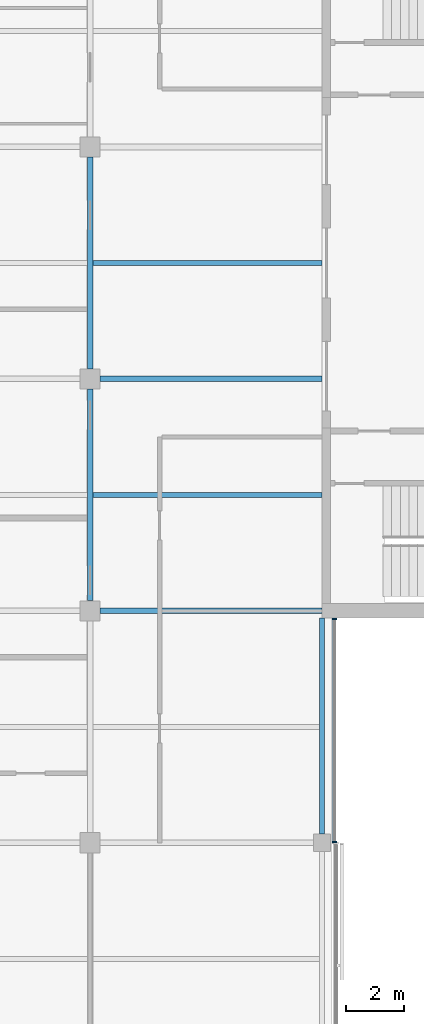
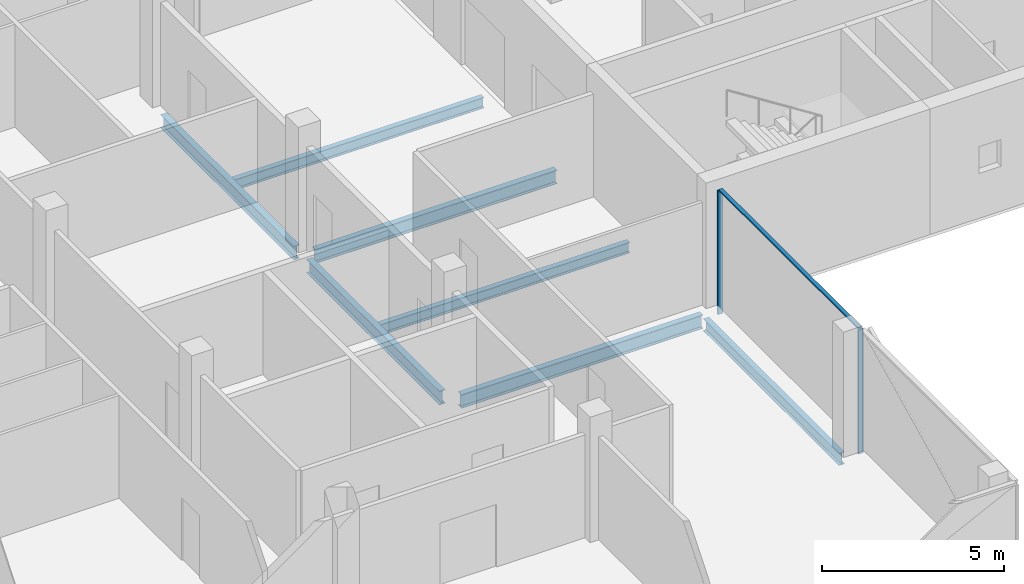
# One storey, part 4 of 16: 7 beams, 3 members, 1 element without a shape of its own.
"""IFC4 building model written with IfcOpenShell, lengths in metres."""

from ifc_helpers import new_model, si_unit, direction, frame, origin, origin_2d, place, context, subcontext, project, spatial, rectangle, i_section, extrude, material, material_profile, profile_set, type_object, element, aggregate, save


model = new_model("IFC4")

# Units and contexts
model_context = context("Model", 3, precision=1e-05, world=origin(), true_north=direction((0.0, 1.0)))
body_context = subcontext(model_context, "Body", "Model", "MODEL_VIEW")
ifc_project = project(units=[si_unit("LENGTHUNIT", "METRE"), si_unit("AREAUNIT", "SQUARE_METRE"), si_unit("VOLUMEUNIT", "CUBIC_METRE"), si_unit("PLANEANGLEUNIT", "RADIAN"), si_unit("MASSUNIT", "GRAM", prefix="KILO")], contexts=[model_context])

# Site, building, storey
site_placement = place(None, origin())
site = spatial("IfcSite", under=ifc_project, at=site_placement, CompositionType="ELEMENT")
building_placement = place(site_placement, origin())
building = spatial("IfcBuilding", under=site, at=building_placement, Name="Crosswind Convention Tower", CompositionType="ELEMENT")
storey_placement = place(building_placement, frame((0.0, 0.0, 270.300048828125)))
storey = spatial("IfcBuildingStorey", under=building, at=storey_placement, Name="L58", CompositionType="ELEMENT", Elevation=270.300048828125)

# Beams
ifc_material_1 = material(Name="Steel S355", Category="steel")
ifc_material_profile_1 = material_profile(ifc_material_1, i_section(OverallWidth=0.177734375, OverallDepth=0.406494140625, WebThickness=0.0078125, FlangeThickness=0.0126953125, FilletRadius=0.01025390625, at=origin_2d()), Name="UB 406x178x60")
ifc_profile_set_1 = profile_set([ifc_material_profile_1], Name="Steel S355")
beam_type_1 = type_object("IfcBeamType", Name="Edge beam UB 406x178x60", PredefinedType="SPANDREL", material=ifc_profile_set_1)
beam_placement = place(storey_placement, frame((137.0, 80.300048828125, -0.503173828125), z_axis=(0.0, 1.0, 0.0), x_axis=(-1.0, 0.0, 0.0)))
element("IfcBeam", 1, at=beam_placement, inside=storey, type_object=beam_type_1, Name="B15 L58 edge beam 12", PredefinedType="SPANDREL", context=body_context, shape_type="SweptSolid", body=[
    extrude(i_section(OverallWidth=0.177734375, OverallDepth=0.406494140625, WebThickness=0.0078125, FlangeThickness=0.0126953125, FilletRadius=0.01025390625, at=origin_2d()), origin(), (0.0, 0.0, 1.0), 7.449951171875),
])
ifc_material_profile_2 = material_profile(ifc_material_1, i_section(OverallWidth=0.18994140625, OverallDepth=0.45361328125, WebThickness=0.008544921875, FlangeThickness=0.0126953125, FilletRadius=0.01025390625, at=origin_2d()), Name="UB 457x191x67")
ifc_profile_set_2 = profile_set([ifc_material_profile_2], Name="Steel S355")
beam_type_2 = type_object("IfcBeamType", Name="Girder UB 457x191x67", PredefinedType="BEAM", material=ifc_profile_set_2)
for number, where, z_axis, x_axis, name in (
    (2, (129.0, 88.35009765625, -0.52685546875), (0.0, 1.0, 0.0), (-1.0, 0.0, 0.0), "B1 L58 girder 18"),
    (3, (129.0, 96.35009765625, -0.52685546875), (0.0, 1.0, 0.0), (-1.0, 0.0, 0.0), "B1 L58 girder 19"),
):
    element("IfcBeam", number, at=place(storey_placement, frame(where, z_axis=z_axis, x_axis=x_axis)), inside=storey, type_object=beam_type_2, Name=name, PredefinedType="BEAM", context=body_context, shape_type="SweptSolid", body=[
        extrude(i_section(OverallWidth=0.18994140625, OverallDepth=0.45361328125, WebThickness=0.008544921875, FlangeThickness=0.0126953125, FilletRadius=0.01025390625, at=origin_2d()), origin(), (0.0, 0.0, 1.0), 7.2998046875),
    ])
ifc_material_profile_3 = material_profile(ifc_material_1, i_section(OverallWidth=0.1904296875, OverallDepth=0.457275390625, WebThickness=0.009033203125, FlangeThickness=0.014404296875, FilletRadius=0.01025390625, at=origin_2d()), Name="UB 457x191x75")
ifc_profile_set_3 = profile_set([ifc_material_profile_3], Name="Steel S355")
beam_type_3 = type_object("IfcBeamType", Name="Girder at core wall UB 457x191x75", PredefinedType="BEAM", material=ifc_profile_set_3)
for number, where, z_axis, x_axis, name in (
    (4, (129.35009765625, 88.0, -0.528564453125), (1.0, 0.0, 0.0), (0.0, 1.0, 0.0), "B22 L58 girder at core wall 5"),
    (5, (129.35009765625, 96.0, -0.528564453125), (1.0, 0.0, 0.0), (0.0, 1.0, 0.0), "B22 L58 girder at core wall 6"),
):
    element("IfcBeam", number, at=place(storey_placement, frame(where, z_axis=z_axis, x_axis=x_axis)), inside=storey, type_object=beam_type_3, Name=name, PredefinedType="BEAM", context=body_context, shape_type="SweptSolid", body=[
        extrude(i_section(OverallWidth=0.1904296875, OverallDepth=0.457275390625, WebThickness=0.009033203125, FlangeThickness=0.014404296875, FilletRadius=0.01025390625, at=origin_2d()), origin(), (0.0, 0.0, 1.0), 7.64990234375),
    ])

# Curtain wall, members
ifc_material_2 = material(Name="Aluminium unitised curtain wall", Category="aluminium")
curtain_wall_type = type_object("IfcCurtainWallType", Name="CORE END SLOT WALL 160", PredefinedType="USERDEFINED", material=ifc_material_2)
curtain_wall_placement = place(storey_placement, origin())
curtain_wall = element("IfcCurtainWall", 6, at=curtain_wall_placement, inside=storey, type_object=curtain_wall_type, Name="CW6 L58 S-E.1-2 slot", ObjectType="UNITISED", PredefinedType="USERDEFINED")
ifc_material_3 = material(Name="Aluminium mullion", Category="aluminium")
ifc_material_profile_4 = material_profile(ifc_material_3, rectangle(XDim=0.159912109375, YDim=0.050048828125, at=origin_2d()), Name="AL 160X50")
ifc_profile_set_4 = profile_set([ifc_material_profile_4], Name="Aluminium mullion")
member_type_1 = type_object("IfcMemberType", Name="MULLION 50X160", PredefinedType="MULLION", material=ifc_profile_set_4)
member_1_placement = place(storey_placement, frame((137.429931640625, 80.02490234375, -0.300048828125), z_axis=(0.0, 0.0, 1.0), x_axis=(1.0, 0.0, 0.0)))
member_1 = element("IfcMember", 7, at=member_1_placement, type_object=member_type_1, Name="CW6 mullion 1", PredefinedType="MULLION", context=body_context, shape_type="SweptSolid", body=[
    extrude(rectangle(XDim=0.159912109375, YDim=0.050048828125, at=origin_2d()), origin(), (0.0, 0.0, 1.0), 4.14990234375),
])
member_2_placement = place(storey_placement, frame((137.429931640625, 87.72509765625, -0.300048828125), z_axis=(0.0, 0.0, 1.0), x_axis=(1.0, 0.0, 0.0)))
member_2 = element("IfcMember", 8, at=member_2_placement, type_object=member_type_1, Name="CW6 mullion 2", PredefinedType="MULLION", context=body_context, shape_type="SweptSolid", body=[
    extrude(rectangle(XDim=0.159912109375, YDim=0.050048828125, at=origin_2d()), origin(), (0.0, 0.0, 1.0), 4.14990234375),
])

# Beams
ifc_material_profile_5 = material_profile(ifc_material_1, i_section(OverallWidth=0.17138671875, OverallDepth=0.355712890625, WebThickness=0.00732421875, FlangeThickness=0.011474609375, FilletRadius=0.01025390625, at=origin_2d()), Name="UB 356x171x51")
ifc_profile_set_5 = profile_set([ifc_material_profile_5], Name="Steel S355")
beam_type_4 = type_object("IfcBeamType", Name="Secondary beam UB 356x171x51", PredefinedType="JOIST", material=ifc_profile_set_5)
for number, where, z_axis, x_axis, name in (
    (9, (129.094970703125, 92.0, -0.477783203125), (1.0, 0.0, 0.0), (0.0, 1.0, 0.0), "B8 L58 secondary beam 17"),
    (10, (129.094970703125, 100.0, -0.477783203125), (1.0, 0.0, 0.0), (0.0, 1.0, 0.0), "B8 L58 secondary beam 18"),
):
    element("IfcBeam", number, at=place(storey_placement, frame(where, z_axis=z_axis, x_axis=x_axis)), inside=storey, type_object=beam_type_4, Name=name, PredefinedType="JOIST", context=body_context, shape_type="SweptSolid", body=[
        extrude(i_section(OverallWidth=0.17138671875, OverallDepth=0.355712890625, WebThickness=0.00732421875, FlangeThickness=0.011474609375, FilletRadius=0.01025390625, at=origin_2d()), origin(), (0.0, 0.0, 1.0), 7.905029296875),
    ])

# Member
ifc_material_4 = material(Name="Aluminium transom", Category="aluminium")
ifc_material_profile_6 = material_profile(ifc_material_4, rectangle(XDim=0.1201171875, YDim=0.050048828125, at=origin_2d()), Name="AL 120X50")
ifc_profile_set_6 = profile_set([ifc_material_profile_6], Name="Aluminium transom")
member_type_2 = type_object("IfcMemberType", Name="TRANSOM 50X120", PredefinedType="USERDEFINED", material=ifc_profile_set_6)
member_3_placement = place(storey_placement, frame((137.429931640625, 80.050048828125, 3.875), z_axis=(0.0, 1.0, 0.0), x_axis=(-1.0, 0.0, 0.0)))
member_3 = element("IfcMember", 11, at=member_3_placement, type_object=member_type_2, Name="CW6 transom", ObjectType="TRANSOM", PredefinedType="USERDEFINED", context=body_context, shape_type="SweptSolid", body=[
    extrude(rectangle(XDim=0.1201171875, YDim=0.050048828125, at=origin_2d()), origin(), (0.0, 0.0, 1.0), 7.64990234375),
])

aggregate(curtain_wall, [member_1, member_2, member_3])

save(model, "model.ifc")
